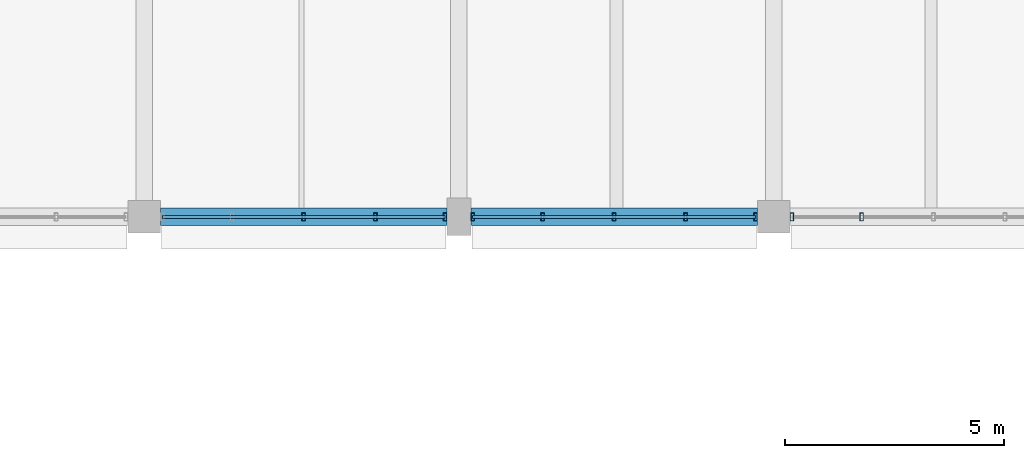
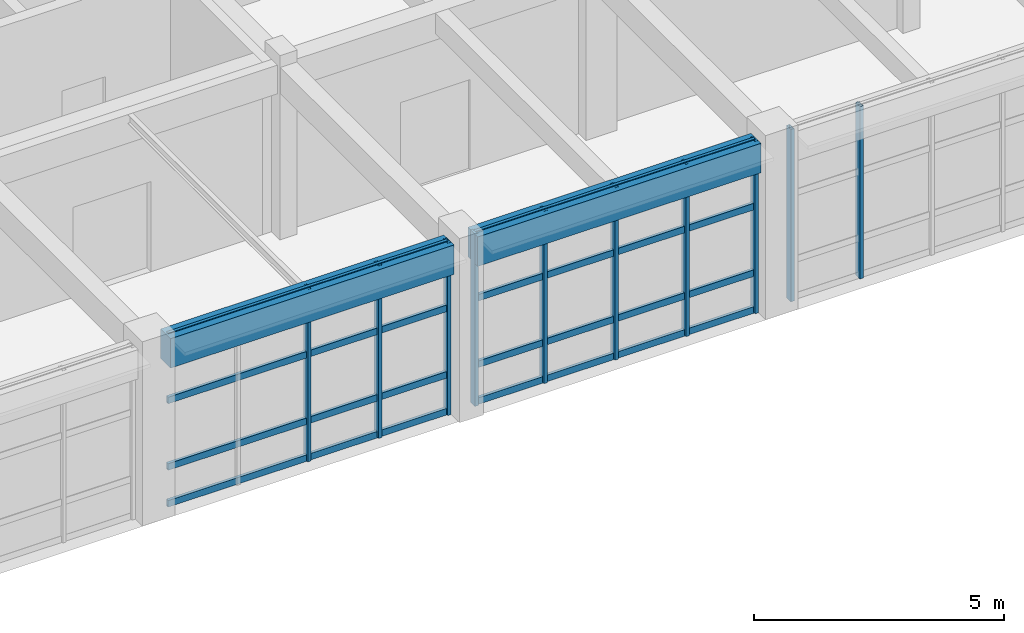
# One storey, part 60 of 171: 18 members, 2 beams, 3 elements without a shape of their own.
"""IFC4 building model written with IfcOpenShell, lengths in metres."""

from ifc_helpers import new_model, si_unit, direction, frame, origin, origin_2d, place, context, subcontext, project, spatial, rectangle, hollow_rectangle, extrude, material, material_profile, profile_set, type_object, element, aggregate, save


model = new_model("IFC4")

# Units and contexts
model_context = context("Model", 3, precision=1e-05, world=origin(), true_north=direction((0.0, 1.0)))
body_context = subcontext(model_context, "Body", "Model", "MODEL_VIEW")
ifc_project = project(units=[si_unit("LENGTHUNIT", "METRE"), si_unit("AREAUNIT", "SQUARE_METRE"), si_unit("VOLUMEUNIT", "CUBIC_METRE"), si_unit("PLANEANGLEUNIT", "RADIAN"), si_unit("MASSUNIT", "GRAM", prefix="KILO")], contexts=[model_context])

# Site, building, storey
site_placement = place(None, origin())
site = spatial("IfcSite", under=ifc_project, at=site_placement, CompositionType="ELEMENT")
building_placement = place(site_placement, origin())
building = spatial("IfcBuilding", under=site, at=building_placement, Name="Thalmaran Polytechnic", CompositionType="ELEMENT")
storey_placement = place(building_placement, frame((0.0, 0.0, 5.39990234375)))
storey = spatial("IfcBuildingStorey", under=building, at=storey_placement, Name="L01", CompositionType="ELEMENT", Elevation=5.39990234375)

# Beams
ifc_material_1 = material(Name="Concrete C40/50", Category="concrete")
ifc_material_profile_1 = material_profile(ifc_material_1, rectangle(XDim=0.39990234375, YDim=0.719970703125, at=origin_2d()), Name="RC 400x720")
ifc_profile_set_1 = profile_set([ifc_material_profile_1], Name="Concrete C40/50")
beam_type = type_object("IfcBeamType", Name="BM-SP01", PredefinedType="SPANDREL", material=ifc_profile_set_1)
for number, where, z_axis, x_axis, name in (
    (1, (29.175048828125, 93.60009765625, 3.85009765625), (1.0, 0.0, 0.0), (0.0, 1.0, 0.0), "Grid Beam SP01 L01 X(4,13)"),
    (2, (36.27490234375, 93.60009765625, 3.85009765625), (1.0, 0.0, 0.0), (0.0, 1.0, 0.0), "Grid Beam SP01 L01 X(5,13)"),
):
    element("IfcBeam", number, at=place(storey_placement, frame(where, z_axis=z_axis, x_axis=x_axis)), inside=storey, type_object=beam_type, Name=name, PredefinedType="SPANDREL", context=body_context, shape_type="SweptSolid", body=[
        extrude(rectangle(XDim=0.39990234375, YDim=0.719970703125, at=origin_2d()), origin(), (0.0, 0.0, 1.0), 6.550048828125),
    ])

# Curtain wall, members
ifc_material_2 = material(Name="Aluminium 6063-T6", Category="aluminium")
curtain_wall_type = type_object("IfcCurtainWallType", Name="CW-UC02", PredefinedType="USERDEFINED", material=ifc_material_2)
curtain_wall_1_placement = place(storey_placement, origin())
curtain_wall_1 = element("IfcCurtainWall", 3, at=curtain_wall_1_placement, inside=storey, type_object=curtain_wall_type, Name="Curtain Wall CW-L01-132", ObjectType="UNITISED CURTAIN WALL", PredefinedType="USERDEFINED")
ifc_material_profile_2 = material_profile(ifc_material_2, hollow_rectangle(XDim=0.080078125, YDim=0.179931640625, WallThickness=0.0048828125, at=origin_2d()), Name="RHS 180x80x5.0")
ifc_profile_set_2 = profile_set([ifc_material_profile_2], Name="Aluminium 6063-T6")
member_type_1 = type_object("IfcMemberType", Name="CW-MUL1", PredefinedType="MULLION", material=ifc_profile_set_2)
member_1_placement = place(storey_placement, frame((45.21240234375, 93.60009765625, 0.0), z_axis=(0.0, 0.0, 1.0), x_axis=(1.0, 0.0, 0.0)))
member_1 = element("IfcMember", 4, at=member_1_placement, type_object=member_type_1, Name="CW-L01-132 Mullion 4", PredefinedType="MULLION", context=body_context, shape_type="SweptSolid", body=[
    extrude(hollow_rectangle(XDim=0.080078125, YDim=0.179931640625, WallThickness=0.0048828125, at=origin_2d()), origin(), (0.0, 0.0, 1.0), 4.210205078125),
])
member_2_placement = place(storey_placement, frame((43.614990234375, 93.60009765625, 0.0), z_axis=(0.0, 0.0, 1.0), x_axis=(1.0, 0.0, 0.0)))
member_2 = element("IfcMember", 5, at=member_2_placement, type_object=member_type_1, Name="CW-L01-132 Mullion 5", PredefinedType="MULLION", context=body_context, shape_type="SweptSolid", body=[
    extrude(hollow_rectangle(XDim=0.080078125, YDim=0.179931640625, WallThickness=0.0048828125, at=origin_2d()), origin(), (0.0, 0.0, 1.0), 4.210205078125),
])
aggregate(curtain_wall_1, [member_1, member_2])

curtain_wall_2_placement = place(storey_placement, origin())
curtain_wall_2 = element("IfcCurtainWall", 6, at=curtain_wall_2_placement, inside=storey, type_object=curtain_wall_type, Name="Curtain Wall CW-L01-133", ObjectType="UNITISED CURTAIN WALL", PredefinedType="USERDEFINED")
member_3_placement = place(storey_placement, frame((42.784912109375, 93.60009765625, 0.0), z_axis=(0.0, 0.0, 1.0), x_axis=(1.0, 0.0, 0.0)))
member_3 = element("IfcMember", 7, at=member_3_placement, type_object=member_type_1, Name="CW-L01-133 Mullion 1", PredefinedType="MULLION", context=body_context, shape_type="SweptSolid", body=[
    extrude(hollow_rectangle(XDim=0.080078125, YDim=0.179931640625, WallThickness=0.0048828125, at=origin_2d()), origin(), (0.0, 0.0, 1.0), 4.210205078125),
])
member_4_placement = place(storey_placement, frame((41.1875, 93.60009765625, 0.0), z_axis=(0.0, 0.0, 1.0), x_axis=(1.0, 0.0, 0.0)))
member_4 = element("IfcMember", 8, at=member_4_placement, type_object=member_type_1, Name="CW-L01-133 Mullion 2", PredefinedType="MULLION", context=body_context, shape_type="SweptSolid", body=[
    extrude(hollow_rectangle(XDim=0.080078125, YDim=0.179931640625, WallThickness=0.0048828125, at=origin_2d()), origin(), (0.0, 0.0, 1.0), 4.210205078125),
])
member_5_placement = place(storey_placement, frame((39.550048828125, 93.60009765625, 0.0), z_axis=(0.0, 0.0, 1.0), x_axis=(1.0, 0.0, 0.0)))
member_5 = element("IfcMember", 9, at=member_5_placement, type_object=member_type_1, Name="CW-L01-133 Mullion 3", PredefinedType="MULLION", context=body_context, shape_type="SweptSolid", body=[
    extrude(hollow_rectangle(XDim=0.080078125, YDim=0.179931640625, WallThickness=0.0048828125, at=origin_2d()), origin(), (0.0, 0.0, 1.0), 4.210205078125),
])
member_6_placement = place(storey_placement, frame((37.91259765625, 93.60009765625, 0.0), z_axis=(0.0, 0.0, 1.0), x_axis=(1.0, 0.0, 0.0)))
member_6 = element("IfcMember", 10, at=member_6_placement, type_object=member_type_1, Name="CW-L01-133 Mullion 4", PredefinedType="MULLION", context=body_context, shape_type="SweptSolid", body=[
    extrude(hollow_rectangle(XDim=0.080078125, YDim=0.179931640625, WallThickness=0.0048828125, at=origin_2d()), origin(), (0.0, 0.0, 1.0), 4.210205078125),
])
member_7_placement = place(storey_placement, frame((36.31494140625, 93.60009765625, 0.0), z_axis=(0.0, 0.0, 1.0), x_axis=(1.0, 0.0, 0.0)))
member_7 = element("IfcMember", 11, at=member_7_placement, type_object=member_type_1, Name="CW-L01-133 Mullion 5", PredefinedType="MULLION", context=body_context, shape_type="SweptSolid", body=[
    extrude(hollow_rectangle(XDim=0.080078125, YDim=0.179931640625, WallThickness=0.0048828125, at=origin_2d()), origin(), (0.0, 0.0, 1.0), 4.210205078125),
])

curtain_wall_3_placement = place(storey_placement, origin())
curtain_wall_3 = element("IfcCurtainWall", 12, at=curtain_wall_3_placement, inside=storey, type_object=curtain_wall_type, Name="Curtain Wall CW-L01-134", ObjectType="UNITISED CURTAIN WALL", PredefinedType="USERDEFINED")
member_8_placement = place(storey_placement, frame((35.68505859375, 93.60009765625, 0.0), z_axis=(0.0, 0.0, 1.0), x_axis=(1.0, 0.0, 0.0)))
member_8 = element("IfcMember", 13, at=member_8_placement, type_object=member_type_1, Name="CW-L01-134 Mullion 1", PredefinedType="MULLION", context=body_context, shape_type="SweptSolid", body=[
    extrude(hollow_rectangle(XDim=0.080078125, YDim=0.179931640625, WallThickness=0.0048828125, at=origin_2d()), origin(), (0.0, 0.0, 1.0), 4.210205078125),
])
member_9_placement = place(storey_placement, frame((34.08740234375, 93.60009765625, 0.0), z_axis=(0.0, 0.0, 1.0), x_axis=(1.0, 0.0, 0.0)))
member_9 = element("IfcMember", 14, at=member_9_placement, type_object=member_type_1, Name="CW-L01-134 Mullion 2", PredefinedType="MULLION", context=body_context, shape_type="SweptSolid", body=[
    extrude(hollow_rectangle(XDim=0.080078125, YDim=0.179931640625, WallThickness=0.0048828125, at=origin_2d()), origin(), (0.0, 0.0, 1.0), 4.210205078125),
])
member_10_placement = place(storey_placement, frame((32.449951171875, 93.60009765625, 0.0), z_axis=(0.0, 0.0, 1.0), x_axis=(1.0, 0.0, 0.0)))
member_10 = element("IfcMember", 15, at=member_10_placement, type_object=member_type_1, Name="CW-L01-134 Mullion 3", PredefinedType="MULLION", context=body_context, shape_type="SweptSolid", body=[
    extrude(hollow_rectangle(XDim=0.080078125, YDim=0.179931640625, WallThickness=0.0048828125, at=origin_2d()), origin(), (0.0, 0.0, 1.0), 4.210205078125),
])

# Member
ifc_material_profile_3 = material_profile(ifc_material_2, hollow_rectangle(XDim=0.070068359375, YDim=0.159912109375, WallThickness=0.00390625, at=origin_2d()), Name="AL 160x70x4.0")
ifc_profile_set_3 = profile_set([ifc_material_profile_3], Name="Aluminium 6063-T6")
member_type_2 = type_object("IfcMemberType", Name="CW-TRN1", PredefinedType="USERDEFINED", material=ifc_profile_set_3)
member_11_placement = place(storey_placement, frame((42.784912109375, 93.60009765625, 0.06005859375), z_axis=(-1.0, 0.0, 0.0), x_axis=(0.0, -1.0, 0.0)))
member_11 = element("IfcMember", 16, at=member_11_placement, type_object=member_type_2, Name="CW-L01-133 Transom 1", ObjectType="TRANSOM", PredefinedType="USERDEFINED", context=body_context, shape_type="SweptSolid", body=[
    extrude(hollow_rectangle(XDim=0.070068359375, YDim=0.159912109375, WallThickness=0.00390625, at=origin_2d()), origin(), (0.0, 0.0, 1.0), 6.469970703125),
])

member_12_placement = place(storey_placement, frame((42.784912109375, 93.60009765625, 0.960205078125), z_axis=(-1.0, 0.0, 0.0), x_axis=(0.0, -1.0, 0.0)))
member_12 = element("IfcMember", 17, at=member_12_placement, type_object=member_type_2, Name="CW-L01-133 Transom 2", ObjectType="TRANSOM", PredefinedType="USERDEFINED", context=body_context, shape_type="SweptSolid", body=[
    extrude(hollow_rectangle(XDim=0.070068359375, YDim=0.159912109375, WallThickness=0.00390625, at=origin_2d()), origin(), (0.0, 0.0, 1.0), 6.469970703125),
])

member_13_placement = place(storey_placement, frame((42.784912109375, 93.60009765625, 2.585205078125), z_axis=(-1.0, 0.0, 0.0), x_axis=(0.0, -1.0, 0.0)))
member_13 = element("IfcMember", 18, at=member_13_placement, type_object=member_type_2, Name="CW-L01-133 Transom 3", ObjectType="TRANSOM", PredefinedType="USERDEFINED", context=body_context, shape_type="SweptSolid", body=[
    extrude(hollow_rectangle(XDim=0.070068359375, YDim=0.159912109375, WallThickness=0.00390625, at=origin_2d()), origin(), (0.0, 0.0, 1.0), 6.469970703125),
])

member_14_placement = place(storey_placement, frame((42.784912109375, 93.60009765625, 4.150146484375), z_axis=(-1.0, 0.0, 0.0), x_axis=(0.0, -1.0, 0.0)))
member_14 = element("IfcMember", 19, at=member_14_placement, type_object=member_type_2, Name="CW-L01-133 Transom 4", ObjectType="TRANSOM", PredefinedType="USERDEFINED", context=body_context, shape_type="SweptSolid", body=[
    extrude(hollow_rectangle(XDim=0.070068359375, YDim=0.159912109375, WallThickness=0.00390625, at=origin_2d()), origin(), (0.0, 0.0, 1.0), 6.469970703125),
])

aggregate(curtain_wall_2, [member_3, member_4, member_5, member_6, member_7, member_11, member_12, member_13, member_14])

member_15_placement = place(storey_placement, frame((35.68505859375, 93.60009765625, 0.06005859375), z_axis=(-1.0, 0.0, 0.0), x_axis=(0.0, -1.0, 0.0)))
member_15 = element("IfcMember", 20, at=member_15_placement, type_object=member_type_2, Name="CW-L01-134 Transom 1", ObjectType="TRANSOM", PredefinedType="USERDEFINED", context=body_context, shape_type="SweptSolid", body=[
    extrude(hollow_rectangle(XDim=0.070068359375, YDim=0.159912109375, WallThickness=0.00390625, at=origin_2d()), origin(), (0.0, 0.0, 1.0), 6.469970703125),
])

member_16_placement = place(storey_placement, frame((35.68505859375, 93.60009765625, 0.960205078125), z_axis=(-1.0, 0.0, 0.0), x_axis=(0.0, -1.0, 0.0)))
member_16 = element("IfcMember", 21, at=member_16_placement, type_object=member_type_2, Name="CW-L01-134 Transom 2", ObjectType="TRANSOM", PredefinedType="USERDEFINED", context=body_context, shape_type="SweptSolid", body=[
    extrude(hollow_rectangle(XDim=0.070068359375, YDim=0.159912109375, WallThickness=0.00390625, at=origin_2d()), origin(), (0.0, 0.0, 1.0), 6.469970703125),
])

member_17_placement = place(storey_placement, frame((35.68505859375, 93.60009765625, 2.585205078125), z_axis=(-1.0, 0.0, 0.0), x_axis=(0.0, -1.0, 0.0)))
member_17 = element("IfcMember", 22, at=member_17_placement, type_object=member_type_2, Name="CW-L01-134 Transom 3", ObjectType="TRANSOM", PredefinedType="USERDEFINED", context=body_context, shape_type="SweptSolid", body=[
    extrude(hollow_rectangle(XDim=0.070068359375, YDim=0.159912109375, WallThickness=0.00390625, at=origin_2d()), origin(), (0.0, 0.0, 1.0), 6.469970703125),
])

member_18_placement = place(storey_placement, frame((35.68505859375, 93.60009765625, 4.150146484375), z_axis=(-1.0, 0.0, 0.0), x_axis=(0.0, -1.0, 0.0)))
member_18 = element("IfcMember", 23, at=member_18_placement, type_object=member_type_2, Name="CW-L01-134 Transom 4", ObjectType="TRANSOM", PredefinedType="USERDEFINED", context=body_context, shape_type="SweptSolid", body=[
    extrude(hollow_rectangle(XDim=0.070068359375, YDim=0.159912109375, WallThickness=0.00390625, at=origin_2d()), origin(), (0.0, 0.0, 1.0), 6.469970703125),
])

aggregate(curtain_wall_3, [member_8, member_9, member_10, member_15, member_16, member_17, member_18])

save(model, "model.ifc")
